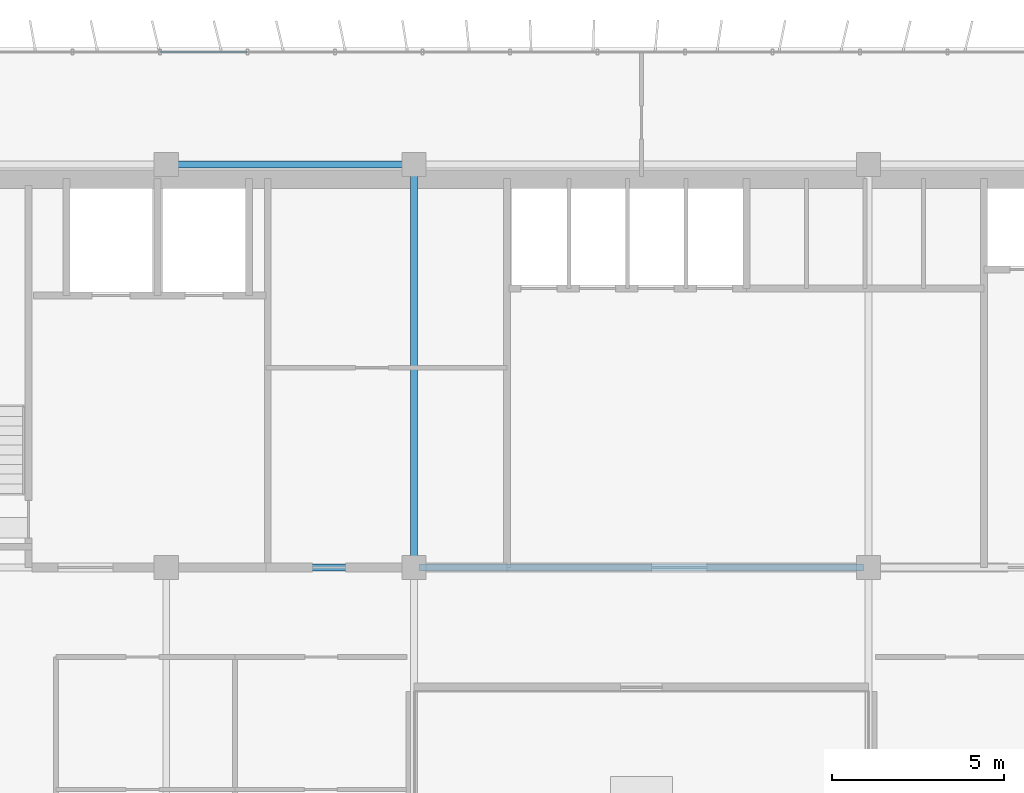
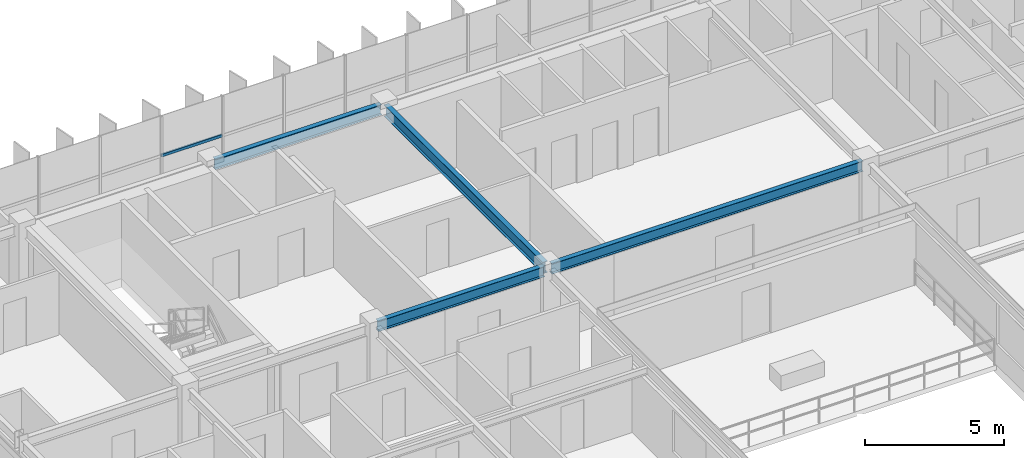
# One storey, part 7 of 23: 4 beams, 1 member, 1 element without a shape of its own.
"""IFC4 building model written with IfcOpenShell, lengths in metres."""

from ifc_helpers import new_model, si_unit, direction, frame, origin, origin_2d, place, context, subcontext, project, spatial, hollow_rectangle, i_section, extrude, source, transform, mapped, material, material_profile, profile_set, type_object, element, aggregate, save


model = new_model("IFC4")

# Units and contexts
model_context = context("Model", 3, precision=1e-05, world=origin(), true_north=direction((0.0, 1.0)))
body_context = subcontext(model_context, "Body", "Model", "MODEL_VIEW")
ifc_project = project(units=[si_unit("LENGTHUNIT", "METRE"), si_unit("AREAUNIT", "SQUARE_METRE"), si_unit("VOLUMEUNIT", "CUBIC_METRE"), si_unit("PLANEANGLEUNIT", "RADIAN"), si_unit("MASSUNIT", "GRAM", prefix="KILO")], contexts=[model_context])

# Site, building, storey
site_placement = place(None, origin())
site = spatial("IfcSite", under=ifc_project, at=site_placement, CompositionType="ELEMENT")
building_placement = place(site_placement, origin())
building = spatial("IfcBuilding", under=site, at=building_placement, Name="Trelvane Seafront Commons", CompositionType="ELEMENT")
storey_placement = place(building_placement, frame((0.0, 0.0, 190.5)))
storey = spatial("IfcBuildingStorey", under=building, at=storey_placement, Name="L49", CompositionType="ELEMENT", Elevation=190.5)

# Beams
ifc_material_1 = material(Name="Steel SM355 (S355)", Category="steel")
ifc_material_profile_1 = material_profile(ifc_material_1, i_section(OverallWidth=0.199951171875, OverallDepth=0.5, WebThickness=0.010009765625, FlangeThickness=0.01611328125, at=origin_2d()), Name="H-500x200x10x16")
ifc_profile_set_1 = profile_set([ifc_material_profile_1], Name="Steel SM355 (S355)")
beam_type_1 = type_object("IfcBeamType", Name="STR-BM-H500", PredefinedType="BEAM", material=ifc_profile_set_1)
shared_shape_1 = source(origin(), body_context, "Body", "SweptSolid", [
    extrude(i_section(OverallWidth=0.199951171875, OverallDepth=0.5, WebThickness=0.010009765625, FlangeThickness=0.01611328125, at=origin_2d()), origin(), (0.0, 0.0, 1.0), 11.39990234375),
])
beam_1_placement = place(storey_placement, frame((30.60009765625, 33.550048828125, 3.110107421875), z_axis=(0.0, 1.0, 0.0), x_axis=(-1.0, 0.0, 0.0)))
element("IfcBeam", 1, at=beam_1_placement, inside=storey, type_object=beam_type_1, Name="L49 Primary Girder G-40", PredefinedType="BEAM", context=body_context, shape_type="MappedRepresentation", body=[
    mapped(shared_shape_1, transform((0.0, 0.0, 0.0), x_axis=(1.0, 0.0, 0.0), y_axis=(0.0, 1.0, 0.0), z_axis=(0.0, 0.0, 1.0), scale=1.0)),
])
ifc_material_profile_2 = material_profile(ifc_material_1, i_section(OverallWidth=0.199951171875, OverallDepth=0.449951171875, WebThickness=0.009033203125, FlangeThickness=0.013916015625, at=origin_2d()), Name="H-450x200x9x14")
ifc_profile_set_2 = profile_set([ifc_material_profile_2], Name="Steel SM355 (S355)")
beam_type_2 = type_object("IfcBeamType", Name="STR-SPD-H450", PredefinedType="SPANDREL", material=ifc_profile_set_2)
shared_shape_2 = source(origin(), body_context, "Body", "SweptSolid", [
    extrude(i_section(OverallWidth=0.199951171875, OverallDepth=0.449951171875, WebThickness=0.009033203125, FlangeThickness=0.013916015625, at=origin_2d()), origin(), (0.0, 0.0, 1.0), 6.89990234375),
])
for number, where, z_axis, x_axis, name in (
    (2, (23.550048828125, 33.39990234375, 3.135009765625), (1.0, 0.0, 0.0), (0.0, 1.0, 0.0), "L49 Primary Girder G-17"),
    (3, (23.550048828125, 45.10009765625, 3.135009765625), (1.0, 0.0, 0.0), (0.0, 1.0, 0.0), "L49 Primary Girder G-24"),
):
    element("IfcBeam", number, at=place(storey_placement, frame(where, z_axis=z_axis, x_axis=x_axis)), inside=storey, type_object=beam_type_2, Name=name, PredefinedType="SPANDREL", context=body_context, shape_type="MappedRepresentation", body=[
        mapped(shared_shape_2, transform((0.0, 0.0, 0.0), x_axis=(1.0, 0.0, 0.0), y_axis=(0.0, 1.0, 0.0), z_axis=(0.0, 0.0, 1.0), scale=1.0)),
    ])
shared_shape_3 = source(origin(), body_context, "Body", "SweptSolid", [
    extrude(i_section(OverallWidth=0.199951171875, OverallDepth=0.449951171875, WebThickness=0.009033203125, FlangeThickness=0.013916015625, at=origin_2d()), origin(), (0.0, 0.0, 1.0), 12.89990234375),
])
beam_2_placement = place(storey_placement, frame((30.75, 33.39990234375, 3.135009765625), z_axis=(1.0, 0.0, 0.0), x_axis=(0.0, 1.0, 0.0)))
element("IfcBeam", 4, at=beam_2_placement, inside=storey, type_object=beam_type_2, Name="L49 Primary Girder G-18", PredefinedType="SPANDREL", context=body_context, shape_type="MappedRepresentation", body=[
    mapped(shared_shape_3, transform((0.0, 0.0, 0.0), x_axis=(1.0, 0.0, 0.0), y_axis=(0.0, 1.0, 0.0), z_axis=(0.0, 0.0, 1.0), scale=1.0)),
])

# Curtain wall, member
ifc_material_2 = material(Name="Anodised pale-silver aluminium", Category="aluminium")
curtain_wall_type = type_object("IfcCurtainWallType", Name="ARCH-CW5-UPTOWER", PredefinedType="NOTDEFINED", material=ifc_material_2)
curtain_wall_placement = place(storey_placement, origin())
curtain_wall = element("IfcCurtainWall", 5, at=curtain_wall_placement, inside=storey, type_object=curtain_wall_type, Name="CW-L49-0077", PredefinedType="NOTDEFINED")
ifc_material_profile_3 = material_profile(ifc_material_2, hollow_rectangle(XDim=0.070068359375, YDim=0.1201171875, WallThickness=0.00390625, at=origin_2d()), Name="TRAN-70x120x4")
ifc_profile_set_3 = profile_set([ifc_material_profile_3], Name="Anodised pale-silver aluminium")
member_type = type_object("IfcMemberType", Name="ARCH-CW-TRAN-120", PredefinedType="USERDEFINED", material=ifc_profile_set_3)
shared_shape_4 = source(origin(), body_context, "Body", "SweptSolid", [
    extrude(hollow_rectangle(XDim=0.070068359375, YDim=0.1201171875, WallThickness=0.00390625, at=origin_2d()), origin(), (0.0, 0.0, 1.0), 2.51708984375),
])
member_placement = place(storey_placement, frame((23.235595703125, 48.3701171875, 1.613037109375), z_axis=(1.0, 0.0, 0.0), x_axis=(0.0, 1.0, 0.0)))
member = element("IfcMember", 6, at=member_placement, type_object=member_type, Name="CW-L49-0077-T03", ObjectType="TRANSOM", PredefinedType="USERDEFINED", context=body_context, shape_type="MappedRepresentation", body=[
    mapped(shared_shape_4, transform((0.0, 0.0, 0.0), x_axis=(1.0, 0.0, 0.0), y_axis=(0.0, 1.0, 0.0), z_axis=(0.0, 0.0, 1.0), scale=1.0)),
])
aggregate(curtain_wall, [member])

save(model, "model.ifc")
